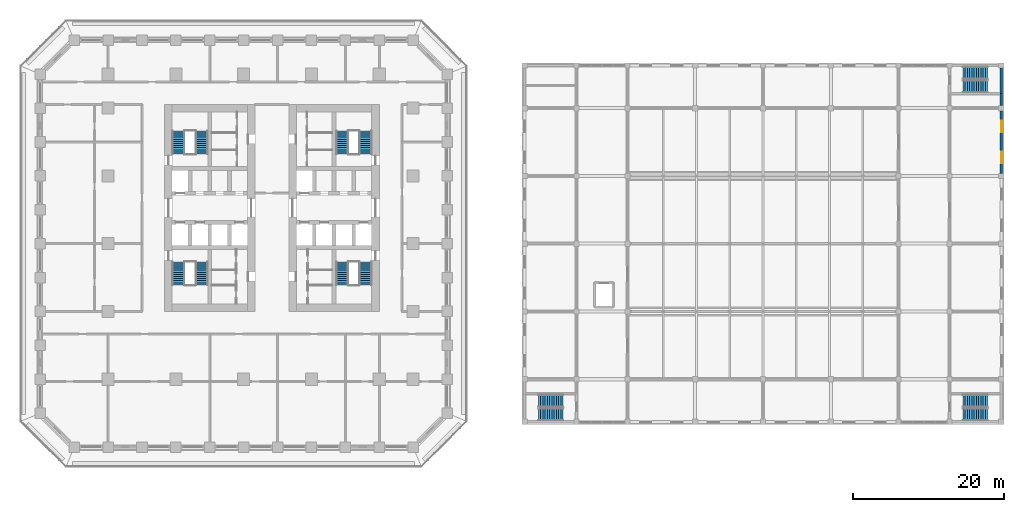
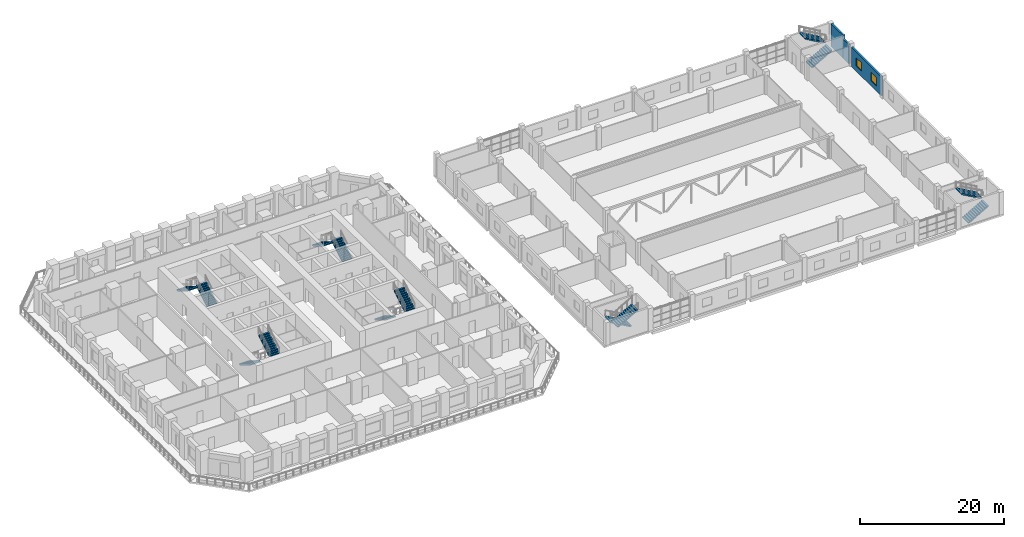
# One storey, part 34 of 42: 14 stair flights, 3 walls, 2 windows, 2 openings, 7 elements without a shape of their own.
"""IFC4 building model written with IfcOpenShell, lengths in metres."""

from ifc_helpers import new_model, si_unit, direction, frame, frame_2d, origin, place, context, subcontext, project, spatial, polyline, rectangle, outline, extrude, material, layer, layer_set, type_object, element, fill, aggregate, save


model = new_model("IFC4")

# Units and contexts
model_context = context("Model", 3, precision=1e-05, world=origin(), true_north=direction((0.0, 1.0)))
body_context = subcontext(model_context, "Body", "Model", "MODEL_VIEW")
ifc_project = project(units=[si_unit("LENGTHUNIT", "METRE"), si_unit("AREAUNIT", "SQUARE_METRE"), si_unit("VOLUMEUNIT", "CUBIC_METRE"), si_unit("PLANEANGLEUNIT", "RADIAN"), si_unit("MASSUNIT", "GRAM", prefix="KILO")], contexts=[model_context])

# Site, building, storey
site_placement = place(None, origin())
site = spatial("IfcSite", under=ifc_project, at=site_placement, CompositionType="ELEMENT")
building_placement = place(site_placement, origin())
building = spatial("IfcBuilding", under=site, at=building_placement, Name="Corbel Stack Research Tower", CompositionType="ELEMENT")
storey_placement = place(building_placement, frame((0.0, 0.0, 11.300048828125)))
storey = spatial("IfcBuildingStorey", under=building, at=storey_placement, Name="L02", CompositionType="ELEMENT", Elevation=11.300048828125)

# Wall, openings, windows
ifc_material_1 = material(Name="Concrete C40/50", Category="concrete")
ifc_layer_1 = layer(ifc_material_1, 0.300048828125)
ifc_layer_set_1 = layer_set([ifc_layer_1], Name="Concrete C40/50")
wall_type_1 = type_object("IfcWallType", Name="HW1 exterior wall 300", PredefinedType="SOLIDWALL", material=ifc_layer_set_1)
wall_1_placement = place(storey_placement, frame((100.60009765625, 9.35009765625, 0.0), z_axis=(0.0, 0.0, 1.0), x_axis=(0.0, 1.0, 0.0)))
wall_1 = element("IfcWall", 1, at=wall_1_placement, inside=storey, type_object=wall_type_1, Name="Exterior wall L02 v100.60/9.3", PredefinedType="SOLIDWALL", context=body_context, shape_type="SweptSolid", body=[
    extrude(rectangle(XDim=8.2998046875, YDim=0.300048828125, at=frame_2d((4.14990234375, 0.0))), origin(), (0.0, 0.0, 1.0), 3.25),
])
opening_1_placement = place(wall_1_placement, frame((1.324951171875, 0.0, 0.89990234375)))
opening_1 = element("IfcOpeningElement", 2, at=opening_1_placement, cuts=wall_1, Name="Opening HX1", PredefinedType="OPENING", context=body_context, shape_type="SweptSolid", body=[
    extrude(rectangle(XDim=1.5, YDim=1.39990234375, at=frame_2d((0.75, 0.699951171875))), frame((0.0, 0.159912109375, 0.0), z_axis=(0.0, -1.0, 0.0), x_axis=(1.0, 0.0, 0.0)), (0.0, 0.0, 1.0), 0.320068359375),
])
opening_2_placement = place(wall_1_placement, frame((5.47509765625, 0.0, 0.89990234375)))
opening_2 = element("IfcOpeningElement", 3, at=opening_2_placement, cuts=wall_1, Name="Opening HX1", PredefinedType="OPENING", context=body_context, shape_type="SweptSolid", body=[
    extrude(rectangle(XDim=1.5, YDim=1.39990234375, at=frame_2d((0.75, 0.699951171875))), frame((0.0, 0.159912109375, 0.0), z_axis=(0.0, -1.0, 0.0), x_axis=(1.0, 0.0, 0.0)), (0.0, 0.0, 1.0), 0.320068359375),
])
ifc_material_2 = material(Name="Glass and aluminium", Category="aluminium")
window_type = type_object("IfcWindowType", Name="HW6 window 1500 x 1400", PartitioningType="SINGLE_PANEL", PredefinedType="WINDOW", material=ifc_material_2)
window_1_placement = place(opening_1_placement, origin())
window_1 = element("IfcWindow", 4, at=window_1_placement, inside=storey, type_object=window_type, Name="Window L02 Multipurpose room 2", OverallHeight=1.39990234375, OverallWidth=1.5, PartitioningType="SINGLE_PANEL", PredefinedType="WINDOW", context=body_context, shape_type="SweptSolid", body=[
    extrude(rectangle(XDim=1.5, YDim=1.39990234375, at=frame_2d((0.75, 0.699951171875))), frame((0.0, 0.030029296875, 0.0), z_axis=(0.0, -1.0, 0.0), x_axis=(1.0, 0.0, 0.0)), (0.0, 0.0, 1.0), 0.06005859375),
])
fill(opening_1, window_1)
window_2_placement = place(opening_2_placement, origin())
window_2 = element("IfcWindow", 5, at=window_2_placement, inside=storey, type_object=window_type, Name="Window L02 Multipurpose room 2", OverallHeight=1.39990234375, OverallWidth=1.5, PartitioningType="SINGLE_PANEL", PredefinedType="WINDOW", context=body_context, shape_type="SweptSolid", body=[
    extrude(rectangle(XDim=1.5, YDim=1.39990234375, at=frame_2d((0.75, 0.699951171875))), frame((0.0, 0.030029296875, 0.0), z_axis=(0.0, -1.0, 0.0), x_axis=(1.0, 0.0, 0.0)), (0.0, 0.0, 1.0), 0.06005859375),
])
fill(opening_2, window_2)

# Walls
wall_2_placement = place(storey_placement, frame((100.60009765625, 18.35009765625, 0.0), z_axis=(0.0, 0.0, 1.0), x_axis=(0.0, 1.0, 0.0)))
element("IfcWall", 6, at=wall_2_placement, inside=storey, type_object=wall_type_1, Name="Exterior wall L02 v100.60/18.4", PredefinedType="SOLIDWALL", context=body_context, shape_type="SweptSolid", body=[
    extrude(rectangle(XDim=1.574951171875, YDim=0.300048828125, at=frame_2d((0.78759765625, 0.0))), origin(), (0.0, 0.0, 1.0), 3.25),
])
ifc_material_3 = material(Name="Concrete C40/50", Category="concrete")
ifc_layer_2 = layer(ifc_material_3, 0.300048828125)
ifc_layer_set_2 = layer_set([ifc_layer_2], Name="Concrete C40/50")
wall_type_2 = type_object("IfcWallType", Name="HW6 exterior wall C40/50 300", PredefinedType="SHEAR", material=ifc_layer_set_2)
wall_3_placement = place(storey_placement, frame((100.60009765625, 19.925048828125, 0.0), z_axis=(0.0, 0.0, 1.0), x_axis=(0.0, 1.0, 0.0)))
element("IfcWall", 7, at=wall_3_placement, inside=storey, type_object=wall_type_2, Name="Exterior wall L02 v100.60/19.9", PredefinedType="SHEAR", context=body_context, shape_type="SweptSolid", body=[
    extrude(rectangle(XDim=3.375, YDim=0.300048828125, at=frame_2d((1.6875, 0.0))), origin(), (0.0, 0.0, 1.0), 3.849853515625),
])

# Stair, stair flights
ifc_material_4 = material(Name="Concrete C40/50", Category="concrete")
stair_type_1 = type_object("IfcStairType", Name="HST1 exit stair", PredefinedType="HALF_TURN_STAIR", material=ifc_material_4)
stair_1_placement = place(storey_placement, origin())
stair_1 = element("IfcStair", 8, at=stair_1_placement, inside=storey, type_object=stair_type_1, Name="L02 exit stair 1", PredefinedType="HALF_TURN_STAIR")
ifc_material_5 = material(Name="Concrete C40/50", Category="concrete")
stair_flight_type_1 = type_object("IfcStairFlightType", Name="HST2 stair flight", PredefinedType="STRAIGHT", material=ifc_material_5)
stair_flight_1_placement = place(storey_placement, frame((42.425048828125, -20.875, 0.0), z_axis=(0.0, 0.0, 1.0), x_axis=(-1.0, 0.0, 0.0)))
stair_flight_1 = element("IfcStairFlight", 9, at=stair_flight_1_placement, type_object=stair_flight_type_1, Name="HS1 flight 1", NumberOfRisers=12, NumberOfTreads=11, PredefinedType="STRAIGHT", RiserHeight=0.170833333, TreadLength=0.3, context=body_context, shape_type="SweptSolid", body=[
    extrude(outline(polyline([(0.0, 0.0), (0.0, 0.1708984375), (0.300048828125, 0.1708984375), (0.300048828125, 0.341552734375), (0.60009765625, 0.341552734375), (0.60009765625, 0.512451171875), (0.89990234375, 0.512451171875), (0.89990234375, 0.683349609375), (1.199951171875, 0.683349609375), (1.199951171875, 0.854248046875), (1.5, 0.854248046875), (1.5, 1.02490234375), (1.800048828125, 1.02490234375), (1.800048828125, 1.19580078125), (2.10009765625, 1.19580078125), (2.10009765625, 1.36669921875), (2.39990234375, 1.36669921875), (2.39990234375, 1.53759765625), (2.699951171875, 1.53759765625), (2.699951171875, 1.708251953125), (3.0, 1.708251953125), (3.0, 1.879150390625), (3.300048828125, 1.879150390625), (3.300048828125, 2.050048828125), (3.300048828125, 1.70654296875), (0.302978515625, 0.0), (0.0, 0.0)])), frame((0.0, 0.824951171875, 0.0), z_axis=(0.0, -1.0, 0.0), x_axis=(1.0, 0.0, 0.0)), (0.0, 0.0, 1.0), 1.64990234375),
])
stair_flight_2_placement = place(storey_placement, frame((39.125, -22.675048828125, 2.050048828125), z_axis=(0.0, 0.0, 1.0), x_axis=(1.0, 0.0, 0.0)))
stair_flight_2 = element("IfcStairFlight", 10, at=stair_flight_2_placement, type_object=stair_flight_type_1, Name="HS1 flight 2", NumberOfRisers=12, NumberOfTreads=11, PredefinedType="STRAIGHT", RiserHeight=0.170833333, TreadLength=0.3, context=body_context, shape_type="SweptSolid", body=[
    extrude(outline(polyline([(0.0, 0.0), (0.0, 0.1708984375), (0.300048828125, 0.1708984375), (0.300048828125, 0.341552734375), (0.60009765625, 0.341552734375), (0.60009765625, 0.512451171875), (0.89990234375, 0.512451171875), (0.89990234375, 0.683349609375), (1.199951171875, 0.683349609375), (1.199951171875, 0.854248046875), (1.5, 0.854248046875), (1.5, 1.02490234375), (1.800048828125, 1.02490234375), (1.800048828125, 1.19580078125), (2.10009765625, 1.19580078125), (2.10009765625, 1.36669921875), (2.39990234375, 1.36669921875), (2.39990234375, 1.53759765625), (2.699951171875, 1.53759765625), (2.699951171875, 1.708251953125), (3.0, 1.708251953125), (3.0, 1.879150390625), (3.300048828125, 1.879150390625), (3.300048828125, 2.050048828125), (3.300048828125, 1.70654296875), (0.302978515625, 0.0), (0.0, 0.0)])), frame((0.0, 0.824951171875, 0.0), z_axis=(0.0, -1.0, 0.0), x_axis=(1.0, 0.0, 0.0)), (0.0, 0.0, 1.0), 1.64990234375),
])
aggregate(stair_1, [stair_flight_1, stair_flight_2])

stair_2_placement = place(storey_placement, origin())
stair_2 = element("IfcStair", 11, at=stair_2_placement, inside=storey, type_object=stair_type_1, Name="L02 exit stair 2", PredefinedType="HALF_TURN_STAIR")
stair_flight_3_placement = place(storey_placement, frame((95.47509765625, 20.875, 0.0), z_axis=(0.0, 0.0, 1.0), x_axis=(1.0, 0.0, 0.0)))
stair_flight_3 = element("IfcStairFlight", 12, at=stair_flight_3_placement, type_object=stair_flight_type_1, Name="HS2 flight 1", NumberOfRisers=12, NumberOfTreads=11, PredefinedType="STRAIGHT", RiserHeight=0.170833333, TreadLength=0.3, context=body_context, shape_type="SweptSolid", body=[
    extrude(outline(polyline([(0.0, 0.0), (0.0, 0.1708984375), (0.300048828125, 0.1708984375), (0.300048828125, 0.341552734375), (0.60009765625, 0.341552734375), (0.60009765625, 0.512451171875), (0.89990234375, 0.512451171875), (0.89990234375, 0.683349609375), (1.199951171875, 0.683349609375), (1.199951171875, 0.854248046875), (1.5, 0.854248046875), (1.5, 1.02490234375), (1.800048828125, 1.02490234375), (1.800048828125, 1.19580078125), (2.10009765625, 1.19580078125), (2.10009765625, 1.36669921875), (2.39990234375, 1.36669921875), (2.39990234375, 1.53759765625), (2.699951171875, 1.53759765625), (2.699951171875, 1.708251953125), (3.0, 1.708251953125), (3.0, 1.879150390625), (3.300048828125, 1.879150390625), (3.300048828125, 2.050048828125), (3.300048828125, 1.70654296875), (0.302978515625, 0.0), (0.0, 0.0)])), frame((0.0, 0.824951171875, 0.0), z_axis=(0.0, -1.0, 0.0), x_axis=(1.0, 0.0, 0.0)), (0.0, 0.0, 1.0), 1.64990234375),
])
stair_flight_4_placement = place(storey_placement, frame((98.77490234375, 22.675048828125, 2.050048828125), z_axis=(0.0, 0.0, 1.0), x_axis=(-1.0, 0.0, 0.0)))
stair_flight_4 = element("IfcStairFlight", 13, at=stair_flight_4_placement, type_object=stair_flight_type_1, Name="HS2 flight 2", NumberOfRisers=12, NumberOfTreads=11, PredefinedType="STRAIGHT", RiserHeight=0.170833333, TreadLength=0.3, context=body_context, shape_type="SweptSolid", body=[
    extrude(outline(polyline([(0.0, 0.0), (0.0, 0.1708984375), (0.300048828125, 0.1708984375), (0.300048828125, 0.341552734375), (0.60009765625, 0.341552734375), (0.60009765625, 0.512451171875), (0.89990234375, 0.512451171875), (0.89990234375, 0.683349609375), (1.199951171875, 0.683349609375), (1.199951171875, 0.854248046875), (1.5, 0.854248046875), (1.5, 1.02490234375), (1.800048828125, 1.02490234375), (1.800048828125, 1.19580078125), (2.10009765625, 1.19580078125), (2.10009765625, 1.36669921875), (2.39990234375, 1.36669921875), (2.39990234375, 1.53759765625), (2.699951171875, 1.53759765625), (2.699951171875, 1.708251953125), (3.0, 1.708251953125), (3.0, 1.879150390625), (3.300048828125, 1.879150390625), (3.300048828125, 2.050048828125), (3.300048828125, 1.70654296875), (0.302978515625, 0.0), (0.0, 0.0)])), frame((0.0, 0.824951171875, 0.0), z_axis=(0.0, -1.0, 0.0), x_axis=(1.0, 0.0, 0.0)), (0.0, 0.0, 1.0), 1.64990234375),
])
aggregate(stair_2, [stair_flight_3, stair_flight_4])

stair_3_placement = place(storey_placement, origin())
stair_3 = element("IfcStair", 14, at=stair_3_placement, inside=storey, type_object=stair_type_1, Name="L02 exit stair 3", PredefinedType="HALF_TURN_STAIR")
stair_flight_5_placement = place(storey_placement, frame((95.47509765625, -22.675048828125, 0.0), z_axis=(0.0, 0.0, 1.0), x_axis=(1.0, 0.0, 0.0)))
stair_flight_5 = element("IfcStairFlight", 15, at=stair_flight_5_placement, type_object=stair_flight_type_1, Name="HS3 flight 1", NumberOfRisers=12, NumberOfTreads=11, PredefinedType="STRAIGHT", RiserHeight=0.170833333, TreadLength=0.3, context=body_context, shape_type="SweptSolid", body=[
    extrude(outline(polyline([(0.0, 0.0), (0.0, 0.1708984375), (0.300048828125, 0.1708984375), (0.300048828125, 0.341552734375), (0.60009765625, 0.341552734375), (0.60009765625, 0.512451171875), (0.89990234375, 0.512451171875), (0.89990234375, 0.683349609375), (1.199951171875, 0.683349609375), (1.199951171875, 0.854248046875), (1.5, 0.854248046875), (1.5, 1.02490234375), (1.800048828125, 1.02490234375), (1.800048828125, 1.19580078125), (2.10009765625, 1.19580078125), (2.10009765625, 1.36669921875), (2.39990234375, 1.36669921875), (2.39990234375, 1.53759765625), (2.699951171875, 1.53759765625), (2.699951171875, 1.708251953125), (3.0, 1.708251953125), (3.0, 1.879150390625), (3.300048828125, 1.879150390625), (3.300048828125, 2.050048828125), (3.300048828125, 1.70654296875), (0.302978515625, 0.0), (0.0, 0.0)])), frame((0.0, 0.824951171875, 0.0), z_axis=(0.0, -1.0, 0.0), x_axis=(1.0, 0.0, 0.0)), (0.0, 0.0, 1.0), 1.64990234375),
])
stair_flight_6_placement = place(storey_placement, frame((98.77490234375, -20.875, 2.050048828125), z_axis=(0.0, 0.0, 1.0), x_axis=(-1.0, 0.0, 0.0)))
stair_flight_6 = element("IfcStairFlight", 16, at=stair_flight_6_placement, type_object=stair_flight_type_1, Name="HS3 flight 2", NumberOfRisers=12, NumberOfTreads=11, PredefinedType="STRAIGHT", RiserHeight=0.170833333, TreadLength=0.3, context=body_context, shape_type="SweptSolid", body=[
    extrude(outline(polyline([(0.0, 0.0), (0.0, 0.1708984375), (0.300048828125, 0.1708984375), (0.300048828125, 0.341552734375), (0.60009765625, 0.341552734375), (0.60009765625, 0.512451171875), (0.89990234375, 0.512451171875), (0.89990234375, 0.683349609375), (1.199951171875, 0.683349609375), (1.199951171875, 0.854248046875), (1.5, 0.854248046875), (1.5, 1.02490234375), (1.800048828125, 1.02490234375), (1.800048828125, 1.19580078125), (2.10009765625, 1.19580078125), (2.10009765625, 1.36669921875), (2.39990234375, 1.36669921875), (2.39990234375, 1.53759765625), (2.699951171875, 1.53759765625), (2.699951171875, 1.708251953125), (3.0, 1.708251953125), (3.0, 1.879150390625), (3.300048828125, 1.879150390625), (3.300048828125, 2.050048828125), (3.300048828125, 1.70654296875), (0.302978515625, 0.0), (0.0, 0.0)])), frame((0.0, 0.824951171875, 0.0), z_axis=(0.0, -1.0, 0.0), x_axis=(1.0, 0.0, 0.0)), (0.0, 0.0, 1.0), 1.64990234375),
])
aggregate(stair_3, [stair_flight_5, stair_flight_6])

ifc_material_6 = material(Name="Concrete C40/50", Category="concrete")
stair_type_2 = type_object("IfcStairType", Name="Exit stair 24 risers", PredefinedType="HALF_TURN_STAIR", material=ifc_material_6)
stair_4_placement = place(storey_placement, origin())
stair_4 = element("IfcStair", 17, at=stair_4_placement, inside=storey, type_object=stair_type_2, Name="L02 Exit stair ST-W1", PredefinedType="HALF_TURN_STAIR")
ifc_material_7 = material(Name="Concrete C40/50", Category="concrete")
stair_flight_type_2 = type_object("IfcStairFlightType", Name="Stair flight 12 risers", PredefinedType="STRAIGHT", material=ifc_material_7)
stair_flight_7_placement = place(storey_placement, frame((-8.675048828125, -2.39990234375, 0.0), z_axis=(0.0, 0.0, 1.0), x_axis=(0.0, -1.0, 0.0)))
stair_flight_7 = element("IfcStairFlight", 18, at=stair_flight_7_placement, type_object=stair_flight_type_2, Name="ST-W1 flight 1", NumberOfRisers=12, NumberOfTreads=11, PredefinedType="STRAIGHT", RiserHeight=0.170833333, TreadLength=0.28, context=body_context, shape_type="SweptSolid", body=[
    extrude(outline(polyline([(0.0, 0.0), (0.0, 0.1708984375), (0.280029296875, 0.1708984375), (0.280029296875, 0.341552734375), (0.56005859375, 0.341552734375), (0.56005859375, 0.512451171875), (0.840087890625, 0.512451171875), (0.840087890625, 0.683349609375), (1.1201171875, 0.683349609375), (1.1201171875, 0.854248046875), (1.39990234375, 0.854248046875), (1.39990234375, 1.02490234375), (1.679931640625, 1.02490234375), (1.679931640625, 1.19580078125), (1.9599609375, 1.19580078125), (1.9599609375, 1.36669921875), (2.239990234375, 1.36669921875), (2.239990234375, 1.53759765625), (2.52001953125, 1.53759765625), (2.52001953125, 1.708251953125), (2.800048828125, 1.708251953125), (2.800048828125, 1.879150390625), (3.080078125, 1.879150390625), (3.080078125, 2.050048828125), (3.080078125, 1.70361328125), (0.287841796875, 0.0), (0.0, 0.0)])), frame((0.0, 0.824951171875, 0.0), z_axis=(0.0, -1.0, 0.0), x_axis=(1.0, 0.0, 0.0)), (0.0, 0.0, 1.0), 1.64990234375),
])
stair_flight_8_placement = place(storey_placement, frame((-5.574951171875, -5.47998046875, 2.050048828125), z_axis=(0.0, 0.0, 1.0), x_axis=(0.0, 1.0, 0.0)))
stair_flight_8 = element("IfcStairFlight", 19, at=stair_flight_8_placement, type_object=stair_flight_type_2, Name="ST-W1 flight 2", NumberOfRisers=12, NumberOfTreads=11, PredefinedType="STRAIGHT", RiserHeight=0.170833333, TreadLength=0.28, context=body_context, shape_type="SweptSolid", body=[
    extrude(outline(polyline([(0.0, 0.0), (0.0, 0.1708984375), (0.280029296875, 0.1708984375), (0.280029296875, 0.341552734375), (0.56005859375, 0.341552734375), (0.56005859375, 0.512451171875), (0.840087890625, 0.512451171875), (0.840087890625, 0.683349609375), (1.1201171875, 0.683349609375), (1.1201171875, 0.854248046875), (1.39990234375, 0.854248046875), (1.39990234375, 1.02490234375), (1.679931640625, 1.02490234375), (1.679931640625, 1.19580078125), (1.9599609375, 1.19580078125), (1.9599609375, 1.36669921875), (2.239990234375, 1.36669921875), (2.239990234375, 1.53759765625), (2.52001953125, 1.53759765625), (2.52001953125, 1.708251953125), (2.800048828125, 1.708251953125), (2.800048828125, 1.879150390625), (3.080078125, 1.879150390625), (3.080078125, 2.050048828125), (3.080078125, 1.70361328125), (0.287841796875, 0.0), (0.0, 0.0)])), frame((0.0, 0.824951171875, 0.0), z_axis=(0.0, -1.0, 0.0), x_axis=(1.0, 0.0, 0.0)), (0.0, 0.0, 1.0), 1.64990234375),
])
aggregate(stair_4, [stair_flight_7, stair_flight_8])

stair_5_placement = place(storey_placement, origin())
stair_5 = element("IfcStair", 20, at=stair_5_placement, inside=storey, type_object=stair_type_2, Name="L02 Exit stair ST-W2", PredefinedType="HALF_TURN_STAIR")
stair_flight_9_placement = place(storey_placement, frame((-5.574951171875, 11.89990234375, 0.0), z_axis=(0.0, 0.0, 1.0), x_axis=(0.0, 1.0, 0.0)))
stair_flight_9 = element("IfcStairFlight", 21, at=stair_flight_9_placement, type_object=stair_flight_type_2, Name="ST-W2 flight 1", NumberOfRisers=12, NumberOfTreads=11, PredefinedType="STRAIGHT", RiserHeight=0.170833333, TreadLength=0.28, context=body_context, shape_type="SweptSolid", body=[
    extrude(outline(polyline([(0.0, 0.0), (0.0, 0.1708984375), (0.280029296875, 0.1708984375), (0.280029296875, 0.341552734375), (0.56005859375, 0.341552734375), (0.56005859375, 0.512451171875), (0.840087890625, 0.512451171875), (0.840087890625, 0.683349609375), (1.1201171875, 0.683349609375), (1.1201171875, 0.854248046875), (1.39990234375, 0.854248046875), (1.39990234375, 1.02490234375), (1.679931640625, 1.02490234375), (1.679931640625, 1.19580078125), (1.9599609375, 1.19580078125), (1.9599609375, 1.36669921875), (2.239990234375, 1.36669921875), (2.239990234375, 1.53759765625), (2.52001953125, 1.53759765625), (2.52001953125, 1.708251953125), (2.800048828125, 1.708251953125), (2.800048828125, 1.879150390625), (3.080078125, 1.879150390625), (3.080078125, 2.050048828125), (3.080078125, 1.70361328125), (0.287841796875, 0.0), (0.0, 0.0)])), frame((0.0, 0.824951171875, 0.0), z_axis=(0.0, -1.0, 0.0), x_axis=(1.0, 0.0, 0.0)), (0.0, 0.0, 1.0), 1.64990234375),
])
stair_flight_10_placement = place(storey_placement, frame((-8.675048828125, 14.97998046875, 2.050048828125), z_axis=(0.0, 0.0, 1.0), x_axis=(0.0, -1.0, 0.0)))
stair_flight_10 = element("IfcStairFlight", 22, at=stair_flight_10_placement, type_object=stair_flight_type_2, Name="ST-W2 flight 2", NumberOfRisers=12, NumberOfTreads=11, PredefinedType="STRAIGHT", RiserHeight=0.170833333, TreadLength=0.28, context=body_context, shape_type="SweptSolid", body=[
    extrude(outline(polyline([(0.0, 0.0), (0.0, 0.1708984375), (0.280029296875, 0.1708984375), (0.280029296875, 0.341552734375), (0.56005859375, 0.341552734375), (0.56005859375, 0.512451171875), (0.840087890625, 0.512451171875), (0.840087890625, 0.683349609375), (1.1201171875, 0.683349609375), (1.1201171875, 0.854248046875), (1.39990234375, 0.854248046875), (1.39990234375, 1.02490234375), (1.679931640625, 1.02490234375), (1.679931640625, 1.19580078125), (1.9599609375, 1.19580078125), (1.9599609375, 1.36669921875), (2.239990234375, 1.36669921875), (2.239990234375, 1.53759765625), (2.52001953125, 1.53759765625), (2.52001953125, 1.708251953125), (2.800048828125, 1.708251953125), (2.800048828125, 1.879150390625), (3.080078125, 1.879150390625), (3.080078125, 2.050048828125), (3.080078125, 1.70361328125), (0.287841796875, 0.0), (0.0, 0.0)])), frame((0.0, 0.824951171875, 0.0), z_axis=(0.0, -1.0, 0.0), x_axis=(1.0, 0.0, 0.0)), (0.0, 0.0, 1.0), 1.64990234375),
])
aggregate(stair_5, [stair_flight_9, stair_flight_10])

stair_6_placement = place(storey_placement, origin())
stair_6 = element("IfcStair", 23, at=stair_6_placement, inside=storey, type_object=stair_type_2, Name="L02 Exit stair ST-E1", PredefinedType="HALF_TURN_STAIR")
stair_flight_11_placement = place(storey_placement, frame((13.074951171875, -2.39990234375, 0.0), z_axis=(0.0, 0.0, 1.0), x_axis=(0.0, -1.0, 0.0)))
stair_flight_11 = element("IfcStairFlight", 24, at=stair_flight_11_placement, type_object=stair_flight_type_2, Name="ST-E1 flight 1", NumberOfRisers=12, NumberOfTreads=11, PredefinedType="STRAIGHT", RiserHeight=0.170833333, TreadLength=0.28, context=body_context, shape_type="SweptSolid", body=[
    extrude(outline(polyline([(0.0, 0.0), (0.0, 0.1708984375), (0.280029296875, 0.1708984375), (0.280029296875, 0.341552734375), (0.56005859375, 0.341552734375), (0.56005859375, 0.512451171875), (0.840087890625, 0.512451171875), (0.840087890625, 0.683349609375), (1.1201171875, 0.683349609375), (1.1201171875, 0.854248046875), (1.39990234375, 0.854248046875), (1.39990234375, 1.02490234375), (1.679931640625, 1.02490234375), (1.679931640625, 1.19580078125), (1.9599609375, 1.19580078125), (1.9599609375, 1.36669921875), (2.239990234375, 1.36669921875), (2.239990234375, 1.53759765625), (2.52001953125, 1.53759765625), (2.52001953125, 1.708251953125), (2.800048828125, 1.708251953125), (2.800048828125, 1.879150390625), (3.080078125, 1.879150390625), (3.080078125, 2.050048828125), (3.080078125, 1.70361328125), (0.287841796875, 0.0), (0.0, 0.0)])), frame((0.0, 0.824951171875, 0.0), z_axis=(0.0, -1.0, 0.0), x_axis=(1.0, 0.0, 0.0)), (0.0, 0.0, 1.0), 1.64990234375),
])
stair_flight_12_placement = place(storey_placement, frame((16.175048828125, -5.47998046875, 2.050048828125), z_axis=(0.0, 0.0, 1.0), x_axis=(0.0, 1.0, 0.0)))
stair_flight_12 = element("IfcStairFlight", 25, at=stair_flight_12_placement, type_object=stair_flight_type_2, Name="ST-E1 flight 2", NumberOfRisers=12, NumberOfTreads=11, PredefinedType="STRAIGHT", RiserHeight=0.170833333, TreadLength=0.28, context=body_context, shape_type="SweptSolid", body=[
    extrude(outline(polyline([(0.0, 0.0), (0.0, 0.1708984375), (0.280029296875, 0.1708984375), (0.280029296875, 0.341552734375), (0.56005859375, 0.341552734375), (0.56005859375, 0.512451171875), (0.840087890625, 0.512451171875), (0.840087890625, 0.683349609375), (1.1201171875, 0.683349609375), (1.1201171875, 0.854248046875), (1.39990234375, 0.854248046875), (1.39990234375, 1.02490234375), (1.679931640625, 1.02490234375), (1.679931640625, 1.19580078125), (1.9599609375, 1.19580078125), (1.9599609375, 1.36669921875), (2.239990234375, 1.36669921875), (2.239990234375, 1.53759765625), (2.52001953125, 1.53759765625), (2.52001953125, 1.708251953125), (2.800048828125, 1.708251953125), (2.800048828125, 1.879150390625), (3.080078125, 1.879150390625), (3.080078125, 2.050048828125), (3.080078125, 1.70361328125), (0.287841796875, 0.0), (0.0, 0.0)])), frame((0.0, 0.824951171875, 0.0), z_axis=(0.0, -1.0, 0.0), x_axis=(1.0, 0.0, 0.0)), (0.0, 0.0, 1.0), 1.64990234375),
])
aggregate(stair_6, [stair_flight_11, stair_flight_12])

stair_7_placement = place(storey_placement, origin())
stair_7 = element("IfcStair", 26, at=stair_7_placement, inside=storey, type_object=stair_type_2, Name="L02 Exit stair ST-E2", PredefinedType="HALF_TURN_STAIR")
stair_flight_13_placement = place(storey_placement, frame((16.175048828125, 11.89990234375, 0.0), z_axis=(0.0, 0.0, 1.0), x_axis=(0.0, 1.0, 0.0)))
stair_flight_13 = element("IfcStairFlight", 27, at=stair_flight_13_placement, type_object=stair_flight_type_2, Name="ST-E2 flight 1", NumberOfRisers=12, NumberOfTreads=11, PredefinedType="STRAIGHT", RiserHeight=0.170833333, TreadLength=0.28, context=body_context, shape_type="SweptSolid", body=[
    extrude(outline(polyline([(0.0, 0.0), (0.0, 0.1708984375), (0.280029296875, 0.1708984375), (0.280029296875, 0.341552734375), (0.56005859375, 0.341552734375), (0.56005859375, 0.512451171875), (0.840087890625, 0.512451171875), (0.840087890625, 0.683349609375), (1.1201171875, 0.683349609375), (1.1201171875, 0.854248046875), (1.39990234375, 0.854248046875), (1.39990234375, 1.02490234375), (1.679931640625, 1.02490234375), (1.679931640625, 1.19580078125), (1.9599609375, 1.19580078125), (1.9599609375, 1.36669921875), (2.239990234375, 1.36669921875), (2.239990234375, 1.53759765625), (2.52001953125, 1.53759765625), (2.52001953125, 1.708251953125), (2.800048828125, 1.708251953125), (2.800048828125, 1.879150390625), (3.080078125, 1.879150390625), (3.080078125, 2.050048828125), (3.080078125, 1.70361328125), (0.287841796875, 0.0), (0.0, 0.0)])), frame((0.0, 0.824951171875, 0.0), z_axis=(0.0, -1.0, 0.0), x_axis=(1.0, 0.0, 0.0)), (0.0, 0.0, 1.0), 1.64990234375),
])
stair_flight_14_placement = place(storey_placement, frame((13.074951171875, 14.97998046875, 2.050048828125), z_axis=(0.0, 0.0, 1.0), x_axis=(0.0, -1.0, 0.0)))
stair_flight_14 = element("IfcStairFlight", 28, at=stair_flight_14_placement, type_object=stair_flight_type_2, Name="ST-E2 flight 2", NumberOfRisers=12, NumberOfTreads=11, PredefinedType="STRAIGHT", RiserHeight=0.170833333, TreadLength=0.28, context=body_context, shape_type="SweptSolid", body=[
    extrude(outline(polyline([(0.0, 0.0), (0.0, 0.1708984375), (0.280029296875, 0.1708984375), (0.280029296875, 0.341552734375), (0.56005859375, 0.341552734375), (0.56005859375, 0.512451171875), (0.840087890625, 0.512451171875), (0.840087890625, 0.683349609375), (1.1201171875, 0.683349609375), (1.1201171875, 0.854248046875), (1.39990234375, 0.854248046875), (1.39990234375, 1.02490234375), (1.679931640625, 1.02490234375), (1.679931640625, 1.19580078125), (1.9599609375, 1.19580078125), (1.9599609375, 1.36669921875), (2.239990234375, 1.36669921875), (2.239990234375, 1.53759765625), (2.52001953125, 1.53759765625), (2.52001953125, 1.708251953125), (2.800048828125, 1.708251953125), (2.800048828125, 1.879150390625), (3.080078125, 1.879150390625), (3.080078125, 2.050048828125), (3.080078125, 1.70361328125), (0.287841796875, 0.0), (0.0, 0.0)])), frame((0.0, 0.824951171875, 0.0), z_axis=(0.0, -1.0, 0.0), x_axis=(1.0, 0.0, 0.0)), (0.0, 0.0, 1.0), 1.64990234375),
])
aggregate(stair_7, [stair_flight_13, stair_flight_14])

save(model, "model.ifc")
